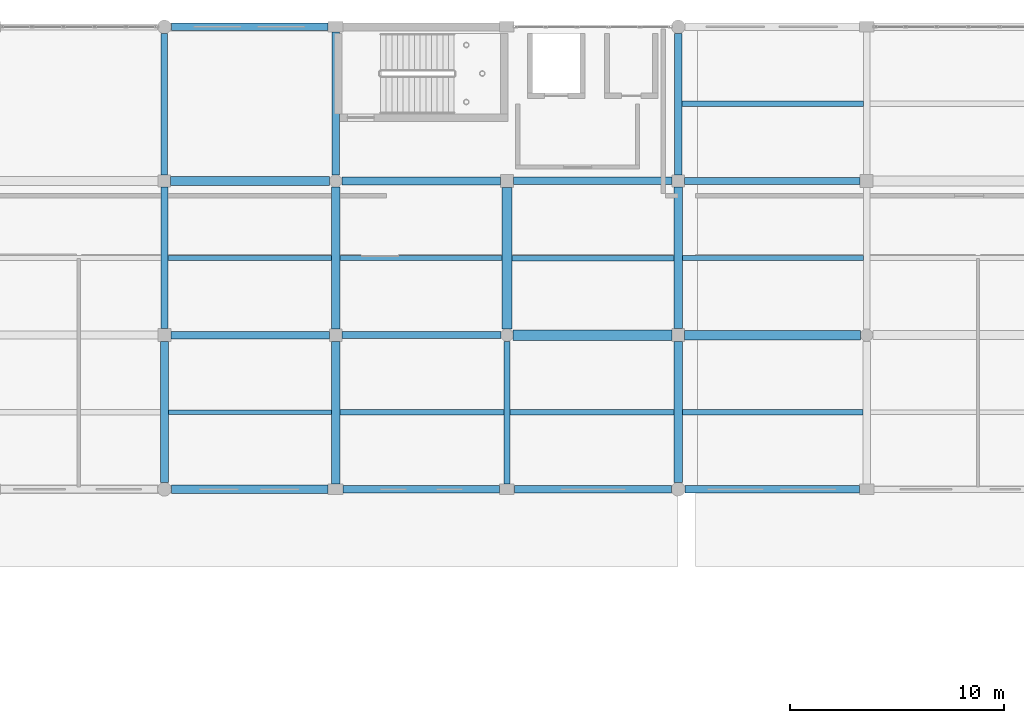
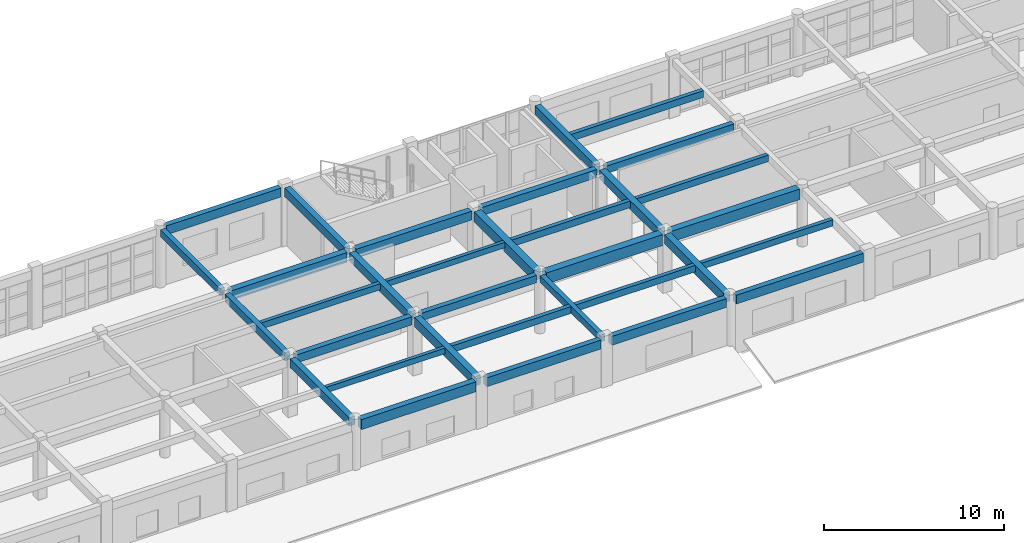
# One storey, part 62 of 121: 33 beams.
"""IFC4 building model written with IfcOpenShell, lengths in metres."""

from ifc_helpers import new_model, si_unit, direction, frame, origin, origin_2d, place, context, subcontext, project, spatial, rectangle, extrude, material, material_profile, profile_set, type_object, element, save


model = new_model("IFC4")

# Units and contexts
model_context = context("Model", 3, precision=1e-05, world=origin(), true_north=direction((0.0, 1.0)))
body_context = subcontext(model_context, "Body", "Model", "MODEL_VIEW")
ifc_project = project(units=[si_unit("LENGTHUNIT", "METRE"), si_unit("AREAUNIT", "SQUARE_METRE"), si_unit("VOLUMEUNIT", "CUBIC_METRE"), si_unit("PLANEANGLEUNIT", "RADIAN"), si_unit("MASSUNIT", "GRAM", prefix="KILO")], contexts=[model_context])

# Site, building, storey
site_placement = place(None, origin())
site = spatial("IfcSite", under=ifc_project, at=site_placement, CompositionType="ELEMENT")
building_placement = place(site_placement, origin())
building = spatial("IfcBuilding", under=site, at=building_placement, Name="Kharva Crest Polytechnic", CompositionType="ELEMENT")
storey_placement = place(building_placement, frame((0.0, 0.0, 13.199951171875)))
storey = spatial("IfcBuildingStorey", under=building, at=storey_placement, Name="L03", CompositionType="ELEMENT", Elevation=13.199951171875)

# Beams
ifc_material = material(Name="Concrete C35/45", Category="concrete")
ifc_material_profile_1 = material_profile(ifc_material, rectangle(XDim=0.300048828125, YDim=0.449951171875, at=origin_2d()), Name="RECT 300 X 450")
ifc_profile_set_1 = profile_set([ifc_material_profile_1], Name="Concrete C35/45")
beam_type_1 = type_object("IfcBeamType", Name="BM-RC-300X450", PredefinedType="BEAM", material=ifc_profile_set_1)
beam_1_placement = place(storey_placement, frame((112.0, 100.64990234375, 3.735107421875), z_axis=(0.0, 1.0, 0.0), x_axis=(-1.0, 0.0, 0.0)))
element("IfcBeam", 1, at=beam_1_placement, inside=storey, type_object=beam_type_1, Name="L03 Girder 15/P-Q", PredefinedType="BEAM", context=body_context, shape_type="SweptSolid", body=[
    extrude(rectangle(XDim=0.300048828125, YDim=0.449951171875, at=origin_2d()), origin(), (0.0, 0.0, 1.0), 6.66015625),
])
ifc_material_profile_2 = material_profile(ifc_material, rectangle(XDim=0.300048828125, YDim=0.47998046875, at=origin_2d()), Name="RECT 300 X 480")
ifc_profile_set_2 = profile_set([ifc_material_profile_2], Name="Concrete C35/45")
beam_type_2 = type_object("IfcBeamType", Name="BM-RC-300X480", PredefinedType="BEAM", material=ifc_profile_set_2)
beam_2_placement = place(storey_placement, frame((96.0, 115.090087890625, 3.719970703125), z_axis=(0.0, 1.0, 0.0), x_axis=(-1.0, 0.0, 0.0)))
element("IfcBeam", 2, at=beam_2_placement, inside=storey, type_object=beam_type_2, Name="L03 Girder 13/R-S", PredefinedType="BEAM", context=body_context, shape_type="SweptSolid", body=[
    extrude(rectangle(XDim=0.300048828125, YDim=0.47998046875, at=origin_2d()), origin(), (0.0, 0.0, 1.0), 6.58984375),
])
ifc_material_profile_3 = material_profile(ifc_material, rectangle(XDim=0.320068359375, YDim=0.5, at=origin_2d()), Name="RECT 320 X 500")
ifc_profile_set_3 = profile_set([ifc_material_profile_3], Name="Concrete C35/45")
beam_type_3 = type_object("IfcBeamType", Name="BM-RC-320X500", PredefinedType="BEAM", material=ifc_profile_set_3)
beam_3_placement = place(storey_placement, frame((104.2900390625, 107.60009765625, 3.7099609375), z_axis=(1.0, 0.0, 0.0), x_axis=(0.0, 1.0, 0.0)))
element("IfcBeam", 3, at=beam_3_placement, inside=storey, type_object=beam_type_3, Name="L03 Beam Q/14-15", PredefinedType="BEAM", context=body_context, shape_type="SweptSolid", body=[
    extrude(rectangle(XDim=0.320068359375, YDim=0.5, at=origin_2d()), origin(), (0.0, 0.0, 1.0), 7.419921875),
])
beam_4_placement = place(storey_placement, frame((120.2900390625, 114.800048828125, 3.7099609375), z_axis=(1.0, 0.0, 0.0), x_axis=(0.0, 1.0, 0.0)))
element("IfcBeam", 4, at=beam_4_placement, inside=storey, type_object=beam_type_3, Name="L03 Beam R/16-17", PredefinedType="BEAM", context=body_context, shape_type="SweptSolid", body=[
    extrude(rectangle(XDim=0.320068359375, YDim=0.5, at=origin_2d()), origin(), (0.0, 0.0, 1.0), 8.2099609375),
])
ifc_material_profile_4 = material_profile(ifc_material, rectangle(XDim=0.340087890625, YDim=0.52001953125, at=origin_2d()), Name="RECT 340 X 520")
ifc_profile_set_4 = profile_set([ifc_material_profile_4], Name="Concrete C35/45")
beam_type_4 = type_object("IfcBeamType", Name="BM-RC-340X520", PredefinedType="BEAM", material=ifc_profile_set_4)
beam_5_placement = place(storey_placement, frame((96.0, 107.89990234375, 3.699951171875), z_axis=(0.0, 1.0, 0.0), x_axis=(-1.0, 0.0, 0.0)))
element("IfcBeam", 5, at=beam_5_placement, inside=storey, type_object=beam_type_4, Name="L03 Girder 13/Q-R", PredefinedType="BEAM", context=body_context, shape_type="SweptSolid", body=[
    extrude(rectangle(XDim=0.340087890625, YDim=0.52001953125, at=origin_2d()), origin(), (0.0, 0.0, 1.0), 6.610107421875),
])
ifc_material_profile_5 = material_profile(ifc_material, rectangle(XDim=0.35009765625, YDim=0.550048828125, at=origin_2d()), Name="RECT 350 X 550")
ifc_profile_set_5 = profile_set([ifc_material_profile_5], Name="Concrete C35/45")
beam_type_5 = type_object("IfcBeamType", Name="BM-RC-350X550", PredefinedType="BEAM", material=ifc_profile_set_5)
for number, where, z_axis, x_axis, name in (
    (6, (96.300048828125, 107.60009765625, 3.68505859375), (1.0, 0.0, 0.0), (0.0, 1.0, 0.0), "L03 Beam Q/13-14"),
    (7, (112.300048828125, 114.800048828125, 3.68505859375), (1.0, 0.0, 0.0), (0.0, 1.0, 0.0), "L03 Beam R/15-16"),
):
    element("IfcBeam", number, at=place(storey_placement, frame(where, z_axis=z_axis, x_axis=x_axis)), inside=storey, type_object=beam_type_5, Name=name, PredefinedType="BEAM", context=body_context, shape_type="SweptSolid", body=[
        extrude(rectangle(XDim=0.35009765625, YDim=0.550048828125, at=origin_2d()), origin(), (0.0, 0.0, 1.0), 7.409912109375),
    ])
ifc_material_profile_6 = material_profile(ifc_material, rectangle(XDim=0.360107421875, YDim=0.580078125, at=origin_2d()), Name="RECT 360 X 580")
ifc_profile_set_6 = profile_set([ifc_material_profile_6], Name="Concrete C35/45")
beam_type_6 = type_object("IfcBeamType", Name="BM-RC-360X580", PredefinedType="BEAM", material=ifc_profile_set_6)
beam_6_placement = place(storey_placement, frame((96.0, 100.719970703125, 3.670166015625), z_axis=(0.0, 1.0, 0.0), x_axis=(-1.0, 0.0, 0.0)))
element("IfcBeam", 8, at=beam_6_placement, inside=storey, type_object=beam_type_6, Name="L03 Girder 13/P-Q", PredefinedType="BEAM", context=body_context, shape_type="SweptSolid", body=[
    extrude(rectangle(XDim=0.360107421875, YDim=0.580078125, at=origin_2d()), origin(), (0.0, 0.0, 1.0), 6.580078125),
])
beam_7_placement = place(storey_placement, frame((104.0, 115.090087890625, 3.670166015625), z_axis=(0.0, 1.0, 0.0), x_axis=(-1.0, 0.0, 0.0)))
element("IfcBeam", 9, at=beam_7_placement, inside=storey, type_object=beam_type_6, Name="L03 Girder 14/R-S", PredefinedType="BEAM", context=body_context, shape_type="SweptSolid", body=[
    extrude(rectangle(XDim=0.360107421875, YDim=0.580078125, at=origin_2d()), origin(), (0.0, 0.0, 1.0), 6.659912109375),
])
beam_8_placement = place(storey_placement, frame((120.0, 115.090087890625, 3.670166015625), z_axis=(0.0, 1.0, 0.0), x_axis=(-1.0, 0.0, 0.0)))
element("IfcBeam", 10, at=beam_8_placement, inside=storey, type_object=beam_type_6, Name="L03 Girder 16/R-S", PredefinedType="BEAM", context=body_context, shape_type="SweptSolid", body=[
    extrude(rectangle(XDim=0.360107421875, YDim=0.580078125, at=origin_2d()), origin(), (0.0, 0.0, 1.0), 6.58984375),
])
ifc_material_profile_7 = material_profile(ifc_material, rectangle(XDim=0.3798828125, YDim=0.60009765625, at=origin_2d()), Name="RECT 380 X 600")
ifc_profile_set_7 = profile_set([ifc_material_profile_7], Name="Concrete C35/45")
beam_type_7 = type_object("IfcBeamType", Name="BM-RC-380X600", PredefinedType="BEAM", material=ifc_profile_set_7)
beam_9_placement = place(storey_placement, frame((104.2900390625, 114.800048828125, 3.66015625), z_axis=(1.0, 0.0, 0.0), x_axis=(0.0, 1.0, 0.0)))
element("IfcBeam", 11, at=beam_9_placement, inside=storey, type_object=beam_type_7, Name="L03 Beam R/14-15", PredefinedType="BEAM", context=body_context, shape_type="SweptSolid", body=[
    extrude(rectangle(XDim=0.3798828125, YDim=0.60009765625, at=origin_2d()), origin(), (0.0, 0.0, 1.0), 7.409912109375),
])
ifc_material_profile_8 = material_profile(ifc_material, rectangle(XDim=0.39990234375, YDim=0.580078125, at=origin_2d()), Name="RECT 400 X 580")
ifc_profile_set_8 = profile_set([ifc_material_profile_8], Name="Concrete C35/45")
beam_type_8 = type_object("IfcBeamType", Name="BM-RC-400X580", PredefinedType="BEAM", material=ifc_profile_set_8)
beam_10_placement = place(storey_placement, frame((104.0, 107.889892578125, 3.670166015625), z_axis=(0.0, 1.0, 0.0), x_axis=(-1.0, 0.0, 0.0)))
element("IfcBeam", 12, at=beam_10_placement, inside=storey, type_object=beam_type_8, Name="L03 Girder 14/Q-R", PredefinedType="BEAM", context=body_context, shape_type="SweptSolid", body=[
    extrude(rectangle(XDim=0.39990234375, YDim=0.580078125, at=origin_2d()), origin(), (0.0, 0.0, 1.0), 6.6201171875),
])
beam_11_placement = place(storey_placement, frame((120.0, 107.89990234375, 3.670166015625), z_axis=(0.0, 1.0, 0.0), x_axis=(-1.0, 0.0, 0.0)))
element("IfcBeam", 13, at=beam_11_placement, inside=storey, type_object=beam_type_8, Name="L03 Girder 16/Q-R", PredefinedType="BEAM", context=body_context, shape_type="SweptSolid", body=[
    extrude(rectangle(XDim=0.39990234375, YDim=0.580078125, at=origin_2d()), origin(), (0.0, 0.0, 1.0), 6.610107421875),
])
ifc_material_profile_9 = material_profile(ifc_material, rectangle(XDim=0.39990234375, YDim=0.6201171875, at=origin_2d()), Name="RECT 400 X 620")
ifc_profile_set_9 = profile_set([ifc_material_profile_9], Name="Concrete C35/45")
beam_type_9 = type_object("IfcBeamType", Name="BM-RC-400X620", PredefinedType="BEAM", material=ifc_profile_set_9)
beam_12_placement = place(storey_placement, frame((104.0, 100.64990234375, 3.650146484375), z_axis=(0.0, 1.0, 0.0), x_axis=(-1.0, 0.0, 0.0)))
element("IfcBeam", 14, at=beam_12_placement, inside=storey, type_object=beam_type_9, Name="L03 Girder 14/P-Q", PredefinedType="BEAM", context=body_context, shape_type="SweptSolid", body=[
    extrude(rectangle(XDim=0.39990234375, YDim=0.6201171875, at=origin_2d()), origin(), (0.0, 0.0, 1.0), 6.66015625),
])
beam_13_placement = place(storey_placement, frame((120.0, 100.719970703125, 3.650146484375), z_axis=(0.0, 1.0, 0.0), x_axis=(-1.0, 0.0, 0.0)))
element("IfcBeam", 15, at=beam_13_placement, inside=storey, type_object=beam_type_9, Name="L03 Girder 16/P-Q", PredefinedType="BEAM", context=body_context, shape_type="SweptSolid", body=[
    extrude(rectangle(XDim=0.39990234375, YDim=0.6201171875, at=origin_2d()), origin(), (0.0, 0.0, 1.0), 6.580078125),
])
ifc_material_profile_10 = material_profile(ifc_material, rectangle(XDim=0.39990234375, YDim=0.64990234375, at=origin_2d()), Name="RECT 400 X 650")
ifc_profile_set_10 = profile_set([ifc_material_profile_10], Name="Concrete C35/45")
beam_type_10 = type_object("IfcBeamType", Name="BM-RC-400X650", PredefinedType="BEAM", material=ifc_profile_set_10)
beam_14_placement = place(storey_placement, frame((96.2900390625, 114.800048828125, 3.635009765625), z_axis=(1.0, 0.0, 0.0), x_axis=(0.0, 1.0, 0.0)))
element("IfcBeam", 16, at=beam_14_placement, inside=storey, type_object=beam_type_10, Name="L03 Beam R/13-14", PredefinedType="BEAM", context=body_context, shape_type="SweptSolid", body=[
    extrude(rectangle(XDim=0.39990234375, YDim=0.64990234375, at=origin_2d()), origin(), (0.0, 0.0, 1.0), 7.419921875),
])
ifc_material_profile_11 = material_profile(ifc_material, rectangle(XDim=0.449951171875, YDim=0.679931640625, at=origin_2d()), Name="RECT 450 X 680")
ifc_profile_set_11 = profile_set([ifc_material_profile_11], Name="Concrete C35/45")
beam_type_11 = type_object("IfcBeamType", Name="BM-RC-450X680", PredefinedType="BEAM", material=ifc_profile_set_11)
beam_15_placement = place(storey_placement, frame((112.0, 107.889892578125, 3.6201171875), z_axis=(0.0, 1.0, 0.0), x_axis=(-1.0, 0.0, 0.0)))
element("IfcBeam", 17, at=beam_15_placement, inside=storey, type_object=beam_type_11, Name="L03 Girder 15/Q-R", PredefinedType="BEAM", context=body_context, shape_type="SweptSolid", body=[
    extrude(rectangle(XDim=0.449951171875, YDim=0.679931640625, at=origin_2d()), origin(), (0.0, 0.0, 1.0), 6.610107421875),
])
ifc_material_profile_12 = material_profile(ifc_material, rectangle(XDim=0.449951171875, YDim=0.719970703125, at=origin_2d()), Name="RECT 450 X 720")
ifc_profile_set_12 = profile_set([ifc_material_profile_12], Name="Concrete C35/45")
beam_type_12 = type_object("IfcBeamType", Name="BM-RC-450X720", PredefinedType="BEAM", material=ifc_profile_set_12)
beam_16_placement = place(storey_placement, frame((120.300048828125, 107.60009765625, 3.60009765625), z_axis=(1.0, 0.0, 0.0), x_axis=(0.0, 1.0, 0.0)))
element("IfcBeam", 18, at=beam_16_placement, inside=storey, type_object=beam_type_12, Name="L03 Beam Q/16-17", PredefinedType="BEAM", context=body_context, shape_type="SweptSolid", body=[
    extrude(rectangle(XDim=0.449951171875, YDim=0.719970703125, at=origin_2d()), origin(), (0.0, 0.0, 1.0), 8.2099609375),
])
ifc_material_profile_13 = material_profile(ifc_material, rectangle(XDim=0.47998046875, YDim=0.75, at=origin_2d()), Name="RECT 480 X 750")
ifc_profile_set_13 = profile_set([ifc_material_profile_13], Name="Concrete C35/45")
beam_type_13 = type_object("IfcBeamType", Name="BM-RC-480X750", PredefinedType="BEAM", material=ifc_profile_set_13)
beam_17_placement = place(storey_placement, frame((112.2900390625, 107.60009765625, 3.5849609375), z_axis=(1.0, 0.0, 0.0), x_axis=(0.0, 1.0, 0.0)))
element("IfcBeam", 19, at=beam_17_placement, inside=storey, type_object=beam_type_13, Name="L03 Beam Q/15-16", PredefinedType="BEAM", context=body_context, shape_type="SweptSolid", body=[
    extrude(rectangle(XDim=0.47998046875, YDim=0.75, at=origin_2d()), origin(), (0.0, 0.0, 1.0), 7.409912109375),
])
ifc_material_profile_14 = material_profile(ifc_material, rectangle(XDim=0.219970703125, YDim=0.3798828125, at=origin_2d()), Name="RECT 220 X 380")
ifc_profile_set_14 = profile_set([ifc_material_profile_14], Name="Concrete C35/45")
beam_type_14 = type_object("IfcBeamType", Name="JS-RC-220X380", PredefinedType="JOIST", material=ifc_profile_set_14)
beam_18_placement = place(storey_placement, frame((96.179931640625, 104.0, 3.77001953125), z_axis=(1.0, 0.0, 0.0), x_axis=(0.0, 1.0, 0.0)))
element("IfcBeam", 20, at=beam_18_placement, inside=storey, type_object=beam_type_14, Name="L03 Floor Joist 23", PredefinedType="JOIST", context=body_context, shape_type="SweptSolid", body=[
    extrude(rectangle(XDim=0.219970703125, YDim=0.3798828125, at=origin_2d()), origin(), (0.0, 0.0, 1.0), 7.6201171875),
])
beam_19_placement = place(storey_placement, frame((104.199951171875, 111.199951171875, 3.77001953125), z_axis=(1.0, 0.0, 0.0), x_axis=(0.0, 1.0, 0.0)))
element("IfcBeam", 21, at=beam_19_placement, inside=storey, type_object=beam_type_14, Name="L03 Floor Joist 43", PredefinedType="JOIST", context=body_context, shape_type="SweptSolid", body=[
    extrude(rectangle(XDim=0.219970703125, YDim=0.3798828125, at=origin_2d()), origin(), (0.0, 0.0, 1.0), 7.574951171875),
])
ifc_material_profile_15 = material_profile(ifc_material, rectangle(XDim=0.239990234375, YDim=0.419921875, at=origin_2d()), Name="RECT 240 X 420")
ifc_profile_set_15 = profile_set([ifc_material_profile_15], Name="Concrete C35/45")
beam_type_15 = type_object("IfcBeamType", Name="JS-RC-240X420", PredefinedType="JOIST", material=ifc_profile_set_15)
beam_20_placement = place(storey_placement, frame((120.199951171875, 104.0, 3.75), z_axis=(1.0, 0.0, 0.0), x_axis=(0.0, 1.0, 0.0)))
element("IfcBeam", 22, at=beam_20_placement, inside=storey, type_object=beam_type_15, Name="L03 Floor Joist 26", PredefinedType="JOIST", context=body_context, shape_type="SweptSolid", body=[
    extrude(rectangle(XDim=0.239990234375, YDim=0.419921875, at=origin_2d()), origin(), (0.0, 0.0, 1.0), 8.429931640625),
])
beam_21_placement = place(storey_placement, frame((96.169921875, 111.199951171875, 3.75), z_axis=(1.0, 0.0, 0.0), x_axis=(0.0, 1.0, 0.0)))
element("IfcBeam", 23, at=beam_21_placement, inside=storey, type_object=beam_type_15, Name="L03 Floor Joist 42", PredefinedType="JOIST", context=body_context, shape_type="SweptSolid", body=[
    extrude(rectangle(XDim=0.239990234375, YDim=0.419921875, at=origin_2d()), origin(), (0.0, 0.0, 1.0), 7.630126953125),
])
ifc_material_profile_16 = material_profile(ifc_material, rectangle(XDim=0.25, YDim=0.43994140625, at=origin_2d()), Name="RECT 250 X 440")
ifc_profile_set_16 = profile_set([ifc_material_profile_16], Name="Concrete C35/45")
beam_type_16 = type_object("IfcBeamType", Name="JS-RC-250X440", PredefinedType="JOIST", material=ifc_profile_set_16)
beam_22_placement = place(storey_placement, frame((112.14990234375, 104.0, 3.739990234375), z_axis=(1.0, 0.0, 0.0), x_axis=(0.0, 1.0, 0.0)))
element("IfcBeam", 24, at=beam_22_placement, inside=storey, type_object=beam_type_16, Name="L03 Floor Joist 25", PredefinedType="JOIST", context=body_context, shape_type="SweptSolid", body=[
    extrude(rectangle(XDim=0.25, YDim=0.43994140625, at=origin_2d()), origin(), (0.0, 0.0, 1.0), 7.650146484375),
])
beam_23_placement = place(storey_placement, frame((120.199951171875, 111.199951171875, 3.739990234375), z_axis=(1.0, 0.0, 0.0), x_axis=(0.0, 1.0, 0.0)))
element("IfcBeam", 25, at=beam_23_placement, inside=storey, type_object=beam_type_16, Name="L03 Floor Joist 45", PredefinedType="JOIST", context=body_context, shape_type="SweptSolid", body=[
    extrude(rectangle(XDim=0.25, YDim=0.43994140625, at=origin_2d()), origin(), (0.0, 0.0, 1.0), 8.449951171875),
])
ifc_material_profile_17 = material_profile(ifc_material, rectangle(XDim=0.260009765625, YDim=0.4599609375, at=origin_2d()), Name="RECT 260 X 460")
ifc_profile_set_17 = profile_set([ifc_material_profile_17], Name="Concrete C35/45")
beam_type_17 = type_object("IfcBeamType", Name="JS-RC-260X460", PredefinedType="JOIST", material=ifc_profile_set_17)
beam_24_placement = place(storey_placement, frame((104.199951171875, 104.0, 3.72998046875), z_axis=(1.0, 0.0, 0.0), x_axis=(0.0, 1.0, 0.0)))
element("IfcBeam", 26, at=beam_24_placement, inside=storey, type_object=beam_type_17, Name="L03 Floor Joist 24", PredefinedType="JOIST", context=body_context, shape_type="SweptSolid", body=[
    extrude(rectangle(XDim=0.260009765625, YDim=0.4599609375, at=origin_2d()), origin(), (0.0, 0.0, 1.0), 7.650146484375),
])
beam_25_placement = place(storey_placement, frame((112.22509765625, 111.199951171875, 3.72998046875), z_axis=(1.0, 0.0, 0.0), x_axis=(0.0, 1.0, 0.0)))
element("IfcBeam", 27, at=beam_25_placement, inside=storey, type_object=beam_type_17, Name="L03 Floor Joist 44", PredefinedType="JOIST", context=body_context, shape_type="SweptSolid", body=[
    extrude(rectangle(XDim=0.260009765625, YDim=0.4599609375, at=origin_2d()), origin(), (0.0, 0.0, 1.0), 7.574951171875),
])
beam_26_placement = place(storey_placement, frame((120.179931640625, 118.39990234375, 3.72998046875), z_axis=(1.0, 0.0, 0.0), x_axis=(0.0, 1.0, 0.0)))
element("IfcBeam", 28, at=beam_26_placement, inside=storey, type_object=beam_type_17, Name="L03 Floor Joist 56", PredefinedType="JOIST", context=body_context, shape_type="SweptSolid", body=[
    extrude(rectangle(XDim=0.260009765625, YDim=0.4599609375, at=origin_2d()), origin(), (0.0, 0.0, 1.0), 8.469970703125),
])
ifc_material_profile_18 = material_profile(ifc_material, rectangle(XDim=0.340087890625, YDim=0.60009765625, at=origin_2d()), Name="RECT 340 X 600")
ifc_profile_set_18 = profile_set([ifc_material_profile_18], Name="Concrete C35/45")
beam_type_18 = type_object("IfcBeamType", Name="SP-RC-340X600", PredefinedType="SPANDREL", material=ifc_profile_set_18)
beam_27_placement = place(storey_placement, frame((104.35009765625, 100.39990234375, 3.66015625), z_axis=(1.0, 0.0, 0.0), x_axis=(0.0, 1.0, 0.0)))
element("IfcBeam", 29, at=beam_27_placement, inside=storey, type_object=beam_type_18, Name="L03 Beam P/14-15", PredefinedType="SPANDREL", context=body_context, shape_type="SweptSolid", body=[
    extrude(rectangle(XDim=0.340087890625, YDim=0.60009765625, at=origin_2d()), origin(), (0.0, 0.0, 1.0), 7.309814453125),
])
beam_28_placement = place(storey_placement, frame((112.340087890625, 100.39990234375, 3.66015625), z_axis=(1.0, 0.0, 0.0), x_axis=(0.0, 1.0, 0.0)))
element("IfcBeam", 30, at=beam_28_placement, inside=storey, type_object=beam_type_18, Name="L03 Beam P/15-16", PredefinedType="SPANDREL", context=body_context, shape_type="SweptSolid", body=[
    extrude(rectangle(XDim=0.340087890625, YDim=0.60009765625, at=origin_2d()), origin(), (0.0, 0.0, 1.0), 7.33984375),
])
beam_29_placement = place(storey_placement, frame((120.320068359375, 100.39990234375, 3.66015625), z_axis=(1.0, 0.0, 0.0), x_axis=(0.0, 1.0, 0.0)))
element("IfcBeam", 31, at=beam_29_placement, inside=storey, type_object=beam_type_18, Name="L03 Beam P/16-17", PredefinedType="SPANDREL", context=body_context, shape_type="SweptSolid", body=[
    extrude(rectangle(XDim=0.340087890625, YDim=0.60009765625, at=origin_2d()), origin(), (0.0, 0.0, 1.0), 8.139892578125),
])
beam_30_placement = place(storey_placement, frame((96.320068359375, 122.0, 3.66015625), z_axis=(1.0, 0.0, 0.0), x_axis=(0.0, 1.0, 0.0)))
element("IfcBeam", 32, at=beam_30_placement, inside=storey, type_object=beam_type_18, Name="L03 Beam S/13-14", PredefinedType="SPANDREL", context=body_context, shape_type="SweptSolid", body=[
    extrude(rectangle(XDim=0.340087890625, YDim=0.60009765625, at=origin_2d()), origin(), (0.0, 0.0, 1.0), 7.329833984375),
])
ifc_material_profile_19 = material_profile(ifc_material, rectangle(XDim=0.3798828125, YDim=0.679931640625, at=origin_2d()), Name="RECT 380 X 680")
ifc_profile_set_19 = profile_set([ifc_material_profile_19], Name="Concrete C35/45")
beam_type_19 = type_object("IfcBeamType", Name="SP-RC-380X680", PredefinedType="SPANDREL", material=ifc_profile_set_19)
beam_31_placement = place(storey_placement, frame((96.320068359375, 100.39990234375, 3.6201171875), z_axis=(1.0, 0.0, 0.0), x_axis=(0.0, 1.0, 0.0)))
element("IfcBeam", 33, at=beam_31_placement, inside=storey, type_object=beam_type_19, Name="L03 Beam P/13-14", PredefinedType="SPANDREL", context=body_context, shape_type="SweptSolid", body=[
    extrude(rectangle(XDim=0.3798828125, YDim=0.679931640625, at=origin_2d()), origin(), (0.0, 0.0, 1.0), 7.329833984375),
])

save(model, "model.ifc")
